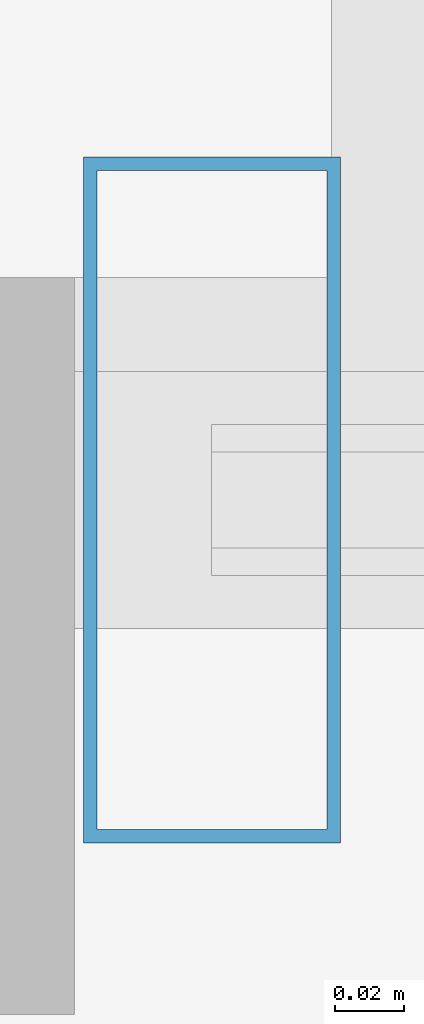
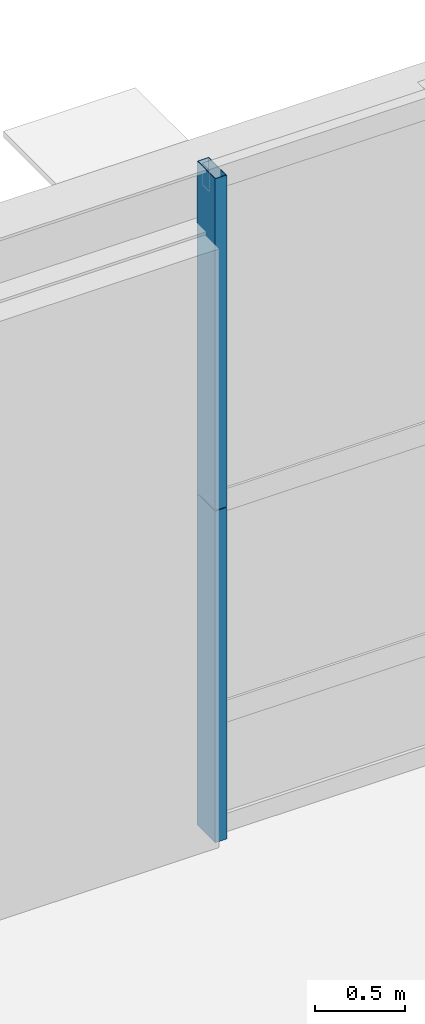
# One storey, part 23 of 34: 2 members, 1 element without a shape of its own.
"""IFC4 building model written with IfcOpenShell, lengths in metres."""

import ifcopenshell
import ifcopenshell.guid

model = None  # the IFC model being written
_history = None  # IfcOwnerHistory: only IFC2X3 demands one
_inside = {}  # id of a spatial element -> (the spatial element, [elements in it])
_under = {}  # id of a project, library or spatial element -> (it, [spatial elements below it])
_declared = {}  # id of a project -> (the project, [libraries it declares])
_typed = {}  # id of a type object -> (the type object, [elements of that type])
_made_of = {}  # id of a material, layer set ... -> (it, [elements and type objects made of it])


def new_model(schema):
    """Start an empty IFC model of exactly this schema.

    Asked for "IFC4X3", IfcOpenShell would pick the latest addendum, in which some entities
    have other attributes; the version numbers below select the first issue.
    IFC2X3 requires an IfcOwnerHistory on every rooted entity: one is made here for all.
    """
    global model, _history
    if schema == "IFC4X3":
        model = ifcopenshell.file(schema_version=(4, 3, 0, 0))
    else:
        model = ifcopenshell.file(schema=schema)
    _inside.clear()
    _under.clear()
    _declared.clear()
    _typed.clear()
    _made_of.clear()
    _history = None
    if model.schema == "IFC2X3":
        org = make("IfcOrganization", Name="unknown")
        user = make(
            "IfcPersonAndOrganization",
            ThePerson=make("IfcPerson", FamilyName="unknown"),
            TheOrganization=org,
        )
        app = make(
            "IfcApplication",
            ApplicationDeveloper=org,
            Version="unknown",
            ApplicationFullName="unknown",
            ApplicationIdentifier="unknown",
        )
        _history = make(
            "IfcOwnerHistory",
            OwningUser=user,
            OwningApplication=app,
            ChangeAction="ADDED",
            CreationDate=0,
        )
    return model


def make(cls, **values):
    """One entity of the class cls with the attributes given. An attribute that is None is left unset."""
    return model.create_entity(
        cls, **{name: value for name, value in values.items() if value is not None}
    )


def rooted(cls, **values):
    """An entity with a GlobalId (a new one), such as an element, a storey or a relation."""
    return make(cls, GlobalId=ifcopenshell.guid.new(), OwnerHistory=_history, **values)


def si_unit(unit_type, name, prefix=None):
    """IfcSIUnit, for example si_unit("LENGTHUNIT", "METRE", prefix="MILLI")."""
    return make("IfcSIUnit", UnitType=unit_type, Prefix=prefix, Name=name)


def assignment(units):
    """IfcUnitAssignment: the units of a project."""
    return None if units is None else make("IfcUnitAssignment", Units=units)


def point(xyz):
    """IfcCartesianPoint."""
    return None if xyz is None else make("IfcCartesianPoint", Coordinates=xyz)


def direction(xyz):
    """IfcDirection."""
    return None if xyz is None else make("IfcDirection", DirectionRatios=xyz)


def frame(location, z_axis=None, x_axis=None):
    """IfcAxis2Placement3D, a coordinate frame: its origin and axes. An axis left out is left unset."""
    return make(
        "IfcAxis2Placement3D",
        Location=point(location),
        Axis=direction(z_axis),
        RefDirection=direction(x_axis),
    )


def frame_2d(location, x_axis=None):
    """IfcAxis2Placement2D, a coordinate frame in the plane: its origin and x axis."""
    return make(
        "IfcAxis2Placement2D", Location=point(location), RefDirection=direction(x_axis)
    )


def origin():
    """The frame at (0, 0, 0) with its axes left unset."""
    return frame((0.0, 0.0, 0.0))


def origin_2d():
    """The frame at (0, 0) in the plane with its x axis left unset."""
    return frame_2d((0.0, 0.0))


def place(relative_to, where):
    """IfcLocalPlacement: puts the frame where relative to a parent placement (None: the world)."""
    return make(
        "IfcLocalPlacement", PlacementRelTo=relative_to, RelativePlacement=where
    )


def context(
    kind, dimensions, precision=None, world=None, true_north=None, identifier=None
):
    """IfcGeometricRepresentationContext, for example the 3D "Model" context."""
    return make(
        "IfcGeometricRepresentationContext",
        ContextIdentifier=identifier,
        ContextType=kind,
        CoordinateSpaceDimension=dimensions,
        Precision=precision,
        WorldCoordinateSystem=world,
        TrueNorth=true_north,
    )


def subcontext(parent, identifier, kind, view, scale=None):
    """IfcGeometricRepresentationSubContext, for example "Body" below "Model"."""
    return make(
        "IfcGeometricRepresentationSubContext",
        ContextIdentifier=identifier,
        ContextType=kind,
        ParentContext=parent,
        TargetScale=scale,
        TargetView=view,
    )


def project(units=None, contexts=None):
    """IfcProject with its units and contexts."""
    return rooted(
        "IfcProject",
        Name="project",
        RepresentationContexts=contexts,
        UnitsInContext=assignment(units),
    )


def spatial(cls, under=None, at=None, **own):
    """A site, building, storey or space (cls), placed at a placement, below another one or the project."""
    s = rooted(cls, ObjectPlacement=at, **own)
    if under is not None:
        _under.setdefault(under.id(), (under, []))[1].append(s)
    return s


def profile(cls, at=None, kind="AREA", **sizes):
    """A parametric profile (cls). Its sizes go by their IFC names, for example OverallWidth=200.0."""
    return make(cls, ProfileType=kind, Position=at, **sizes)


def hollow_rectangle(**sizes):
    """IfcRectangleHollowProfileDef."""
    return profile("IfcRectangleHollowProfileDef", **sizes)


def extrude(swept, where, along, depth):
    """IfcExtrudedAreaSolid: the profile swept, set in the frame where, extruded along a direction by depth."""
    return make(
        "IfcExtrudedAreaSolid",
        SweptArea=swept,
        Position=where,
        ExtrudedDirection=direction(along),
        Depth=depth,
    )


def shape(context_of_items, identifier, shape_type, items):
    """IfcShapeRepresentation: the items that make up one representation, for example the "Body"."""
    return make(
        "IfcShapeRepresentation",
        ContextOfItems=context_of_items,
        RepresentationIdentifier=identifier,
        RepresentationType=shape_type,
        Items=items,
    )


def source(mapping_origin, context_of_items, identifier, shape_type, items):
    """IfcRepresentationMap: a shape defined once, which mapped items show again and again."""
    return make(
        "IfcRepresentationMap",
        MappingOrigin=mapping_origin,
        MappedRepresentation=shape(context_of_items, identifier, shape_type, items),
    )


def transform(
    local_origin,
    x_axis=None,
    y_axis=None,
    z_axis=None,
    scale=None,
    scale2=None,
    scale3=None,
    uniform=True,
):
    """IfcCartesianTransformationOperator3D, or its non-uniform kind. x_axis, y_axis, z_axis: its Axis1, 2, 3."""
    if uniform:
        return make(
            "IfcCartesianTransformationOperator3D",
            Axis1=direction(x_axis),
            Axis2=direction(y_axis),
            LocalOrigin=point(local_origin),
            Scale=scale,
            Axis3=direction(z_axis),
        )
    return make(
        "IfcCartesianTransformationOperator3DnonUniform",
        Axis1=direction(x_axis),
        Axis2=direction(y_axis),
        LocalOrigin=point(local_origin),
        Scale=scale,
        Axis3=direction(z_axis),
        Scale2=scale2,
        Scale3=scale3,
    )


def mapped(mapping_source, mapping_target):
    """IfcMappedItem: shows the shape of a source again, moved by a transform."""
    return make(
        "IfcMappedItem", MappingSource=mapping_source, MappingTarget=mapping_target
    )


def material(Name=None, Category=None):
    """IfcMaterial."""
    return make("IfcMaterial", Name=Name, Category=Category)


def layer(
    of_material, thickness, ventilated=None, Name=None, Category=None, Priority=None
):
    """IfcMaterialLayer: one layer of a wall or slab, of a material (None: an air gap)."""
    return make(
        "IfcMaterialLayer",
        Material=of_material,
        LayerThickness=thickness,
        IsVentilated=ventilated,
        Name=Name,
        Category=Category,
        Priority=Priority,
    )


def layer_set(layers, Name=None):
    """IfcMaterialLayerSet."""
    return make("IfcMaterialLayerSet", MaterialLayers=layers, LayerSetName=Name)


def material_profile(
    of_material, cross_section, Name=None, Category=None, Priority=None
):
    """IfcMaterialProfile: a cross section and its material."""
    return make(
        "IfcMaterialProfile",
        Name=Name,
        Material=of_material,
        Profile=cross_section,
        Priority=Priority,
        Category=Category,
    )


def profile_set(profiles, Name=None, composite=None):
    """IfcMaterialProfileSet."""
    return make(
        "IfcMaterialProfileSet",
        Name=Name,
        MaterialProfiles=profiles,
        CompositeProfile=composite,
    )


def made_of(thing, what):
    """Note that an element or type object is made of a material, layer set ...; save() writes the relation."""
    if what is not None:
        _made_of.setdefault(what.id(), (what, []))[1].append(thing)
    return thing


def type_object(cls, material=None, **own):
    """A type object (cls), such as IfcWallType, which elements share."""
    return made_of(rooted(cls, **own), material)


def element(
    cls,
    number,
    at=None,
    inside=None,
    cuts=None,
    type_object=None,
    material=None,
    context=None,
    identifier="Body",
    shape_type=None,
    held_by="IfcProductDefinitionShape",
    body=None,
    shapes=None,
    **own,
):
    """One element of the class cls, such as IfcWall. Its Tag is "e" and its number.

    at: its placement. inside: the storey or other place that contains it. cuts: it is an
    opening in that element (IfcRelVoidsElement). A single representation is given by context,
    identifier, shape_type and body (its items); several are given by shapes. held_by: the class
    of the entity that holds the representations. save() writes the other relations.
    """
    e = rooted(cls, Tag="e%d" % number, ObjectPlacement=at, **own)
    if body is not None:
        shapes = [shape(context, identifier, shape_type, body)]
    if shapes is not None:
        e.Representation = make(held_by, Representations=shapes)
    if inside is not None:
        _inside.setdefault(inside.id(), (inside, []))[1].append(e)
    if cuts is not None:
        rooted(
            "IfcRelVoidsElement", RelatingBuildingElement=cuts, RelatedOpeningElement=e
        )
    if type_object is not None:
        _typed.setdefault(type_object.id(), (type_object, []))[1].append(e)
    return made_of(e, material)


def aggregate(whole, parts):
    """IfcRelAggregates: a whole, such as a stair, and the parts it consists of."""
    return rooted("IfcRelAggregates", RelatingObject=whole, RelatedObjects=parts)


def save(model, path):
    """Write the relations noted so far, then the file.

    IfcRelAggregates (storeys below a building ...), IfcRelContainedInSpatialStructure (elements
    in a storey), IfcRelDefinesByType, IfcRelAssociatesMaterial and IfcRelDeclares: one each for
    every whole, place, type object, material and project.
    """
    for whole, parts in _under.values():
        aggregate(whole, parts)
    for where, things in _inside.values():
        rooted(
            "IfcRelContainedInSpatialStructure",
            RelatedElements=things,
            RelatingStructure=where,
        )
    for kind, things in _typed.values():
        rooted("IfcRelDefinesByType", RelatedObjects=things, RelatingType=kind)
    for what, things in _made_of.values():
        rooted("IfcRelAssociatesMaterial", RelatedObjects=things, RelatingMaterial=what)
    for by, libraries in _declared.values():
        rooted("IfcRelDeclares", RelatingContext=by, RelatedDefinitions=libraries)
    model.write(path)


model = new_model("IFC4")

# Units and contexts
model_context = context("Model", 3, precision=1e-05, world=origin(), true_north=direction((0.0, 1.0)))
body_context = subcontext(model_context, "Body", "Model", "MODEL_VIEW")
ifc_project = project(units=[si_unit("LENGTHUNIT", "METRE"), si_unit("AREAUNIT", "SQUARE_METRE"), si_unit("VOLUMEUNIT", "CUBIC_METRE"), si_unit("PLANEANGLEUNIT", "RADIAN"), si_unit("MASSUNIT", "GRAM", prefix="KILO"), si_unit("THERMODYNAMICTEMPERATUREUNIT", "KELVIN"), si_unit("POWERUNIT", "WATT")], contexts=[model_context])

# Site, building, storey
site_placement = place(None, origin())
site = spatial("IfcSite", under=ifc_project, at=site_placement, CompositionType="ELEMENT")
building_placement = place(site_placement, origin())
building = spatial("IfcBuilding", under=site, at=building_placement, Name="Yuzanri Waterfront Tower", CompositionType="ELEMENT")
storey_placement = place(building_placement, frame((0.0, 0.0, 171.60009765625)))
storey = spatial("IfcBuildingStorey", under=building, at=storey_placement, Name="L45", CompositionType="ELEMENT", Elevation=171.60009765625)

# Curtain wall, members
ifc_material_1 = material(Name="Anodized Architectural Bronze", Category="metal")
ifc_layer = layer(ifc_material_1, 0.159912109375)
ifc_layer_set = layer_set([ifc_layer], Name="Anodized Architectural Bronze")
curtain_wall_type = type_object("IfcCurtainWallType", Name="Anodized Bronze Sky-Lobby Triple-Glazed Feature Curtain Wall 7500", PredefinedType="NOTDEFINED", material=ifc_layer_set)
curtain_wall_placement = place(storey_placement, origin())
curtain_wall = element("IfcCurtainWall", 1, at=curtain_wall_placement, inside=storey, type_object=curtain_wall_type, Name="L45 Curtain Wall CW-L45-NL", PredefinedType="NOTDEFINED")
ifc_material_2 = material(Name="Anodized Architectural Bronze", Category="metal")
ifc_material_profile = material_profile(ifc_material_2, hollow_rectangle(XDim=0.074951171875, YDim=0.199951171875, WallThickness=0.00390625, at=origin_2d()), Name="CWM 75x200")
ifc_profile_set = profile_set([ifc_material_profile], Name="Anodized Architectural Bronze")
member_type = type_object("IfcMemberType", Name="Anodized Bronze Primary Curtain-Wall Mullion 75x200", PredefinedType="MULLION", material=ifc_profile_set)
shared_shape_1 = source(origin(), body_context, "Body", "SweptSolid", [
    extrude(hollow_rectangle(XDim=0.074951171875, YDim=0.199951171875, WallThickness=0.00390625, at=origin_2d()), origin(), (0.0, 0.0, 1.0), 2.258056640625),
])
member_1_placement = place(storey_placement, frame((22.2900390625, 47.75, 2.261962890625), z_axis=(0.0, 0.0, 1.0), x_axis=(1.0, 0.0, 0.0)))
member_1 = element("IfcMember", 2, at=member_1_placement, type_object=member_type, Name="CW-L45-NL Upper Mullion 00", PredefinedType="MULLION", context=body_context, shape_type="MappedRepresentation", body=[
    mapped(shared_shape_1, transform((0.0, 0.0, 0.0), scale=1.0)),
])
shared_shape_2 = source(origin(), body_context, "Body", "SweptSolid", [
    extrude(hollow_rectangle(XDim=0.074951171875, YDim=0.199951171875, WallThickness=0.00390625, at=origin_2d()), origin(), (0.0, 0.0, 1.0), 2.2578125),
])
member_2_placement = place(storey_placement, frame((22.2900390625, 47.75, 0.0), z_axis=(0.0, 0.0, 1.0), x_axis=(1.0, 0.0, 0.0)))
member_2 = element("IfcMember", 3, at=member_2_placement, type_object=member_type, Name="CW-L45-NL Lower Mullion 00", PredefinedType="MULLION", context=body_context, shape_type="MappedRepresentation", body=[
    mapped(shared_shape_2, transform((0.0, 0.0, 0.0), scale=1.0)),
])
aggregate(curtain_wall, [member_2, member_1])

save(model, "model.ifc")
